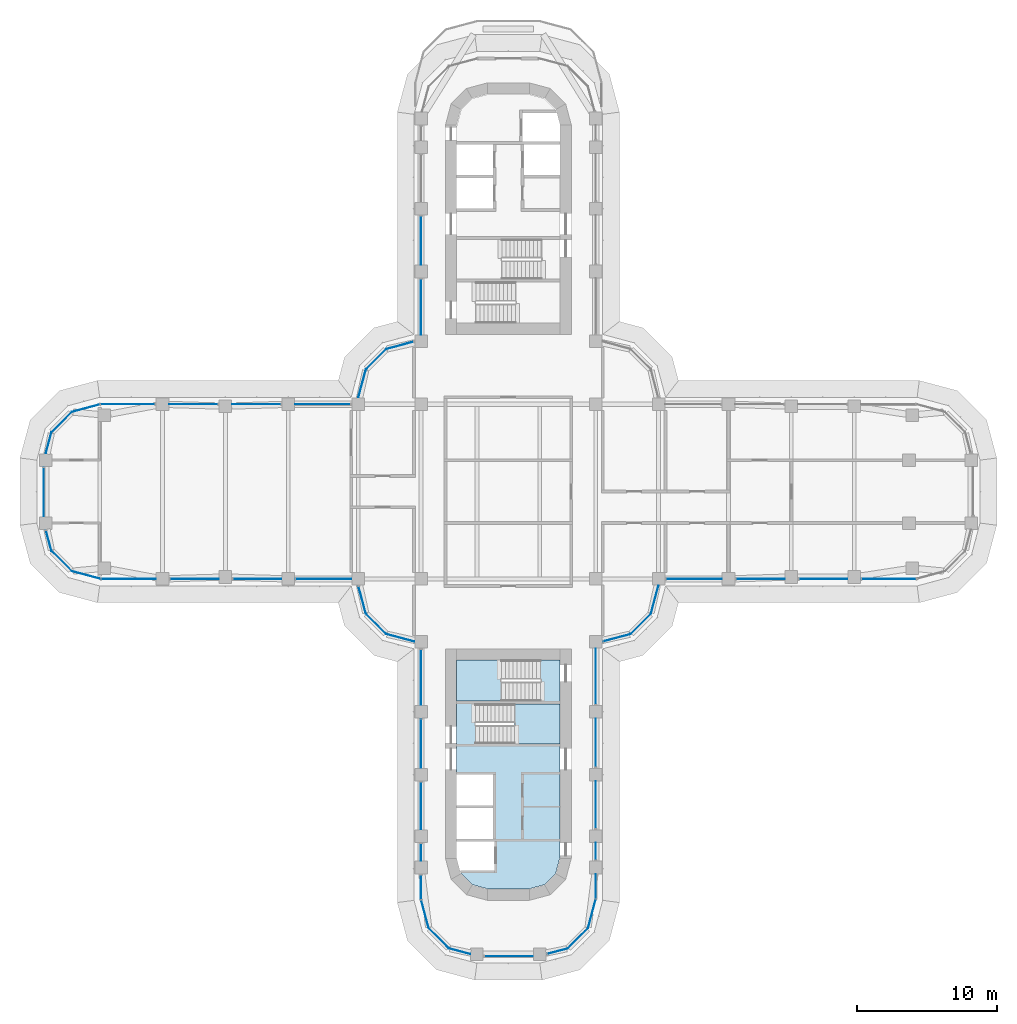
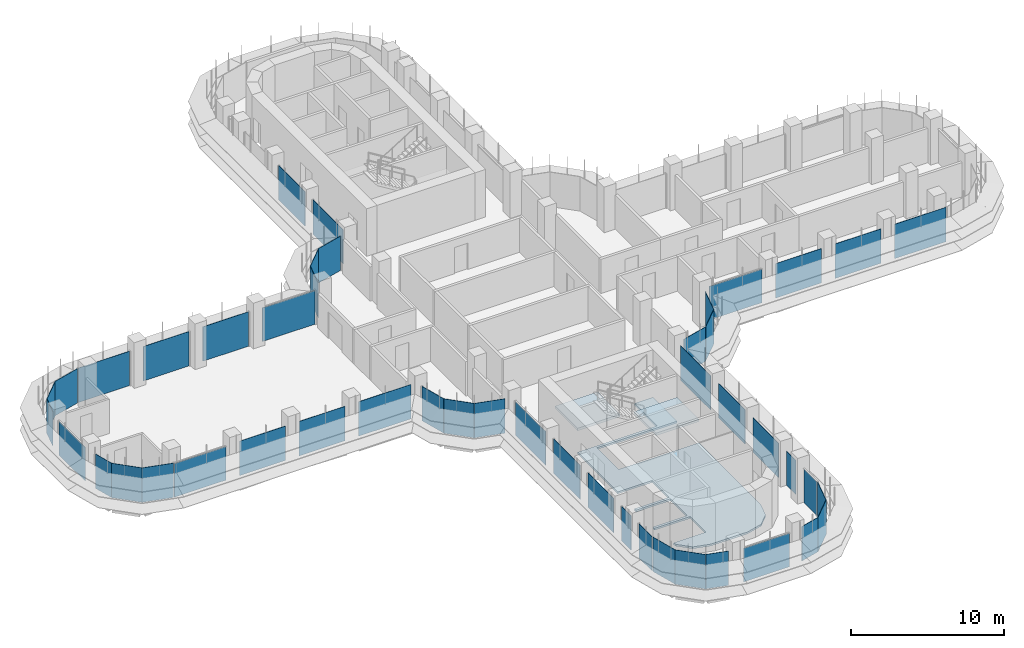
# One storey, part 12 of 22: 47 plates, 3 slabs, 31 elements without a shape of their own.
"""IFC4 building model written with IfcOpenShell, lengths in metres."""

from ifc_helpers import new_model, si_unit, direction, frame, origin, place, context, subcontext, project, spatial, polyline, outline, extrude, source, transform, mapped, material, layer, layer_set, type_object, element, aggregate, save


model = new_model("IFC4")

# Units and contexts
model_context = context("Model", 3, precision=1e-05, world=origin(), true_north=direction((0.0, 1.0)))
body_context = subcontext(model_context, "Body", "Model", "MODEL_VIEW")
ifc_project = project(units=[si_unit("LENGTHUNIT", "METRE"), si_unit("AREAUNIT", "SQUARE_METRE"), si_unit("VOLUMEUNIT", "CUBIC_METRE"), si_unit("PLANEANGLEUNIT", "RADIAN"), si_unit("MASSUNIT", "GRAM", prefix="KILO")], contexts=[model_context])

# Site, building, storey
site_placement = place(None, origin())
site = spatial("IfcSite", under=ifc_project, at=site_placement, CompositionType="ELEMENT")
building_placement = place(site_placement, origin())
building = spatial("IfcBuilding", under=site, at=building_placement, Name="Zarbagh Exchange Tower", CompositionType="ELEMENT")
storey_placement = place(building_placement, frame((0.0, 0.0, 94.199951171875)))
storey = spatial("IfcBuildingStorey", under=building, at=storey_placement, Name="L21", CompositionType="ELEMENT", Elevation=94.199951171875)

# Slab
ifc_material_1 = material(Name="Concrete C40/50", Category="concrete")
ifc_layer_1 = layer(ifc_material_1, 0.14990234375)
ifc_layer_set_1 = layer_set([ifc_layer_1], Name="Core floor slab 150 C40/50")
slab_type_1 = type_object("IfcSlabType", Name="Core floor slab 150 C40/50", PredefinedType="FLOOR", material=ifc_layer_set_1)
slab_1_placement = place(storey_placement, frame((0.0, 0.0, -0.14990234375)))
element("IfcSlab", 1, at=slab_1_placement, inside=storey, type_object=slab_type_1, Name="S17 core S", PredefinedType="FLOOR", context=body_context, shape_type="SweptSolid", body=[
    extrude(outline(polyline([(-2.5859375, -28.130859375), (-3.380859375, -27.3359375), (-3.646484375, -26.3447265625), (-3.444091796875, -27.10009765625), (-1.0, -27.10009765625), (-1.0, -25.050048828125), (-3.699951171875, -25.050048828125), (-3.699951171875, -24.85009765625), (-1.10009765625, -24.85009765625), (-1.10009765625, -22.64990234375), (-3.699951171875, -22.64990234375), (-3.699951171875, -22.449951171875), (-1.10009765625, -22.449951171875), (-1.10009765625, -20.25), (-3.699951171875, -20.25), (-3.699951171875, -15.0), (2.300048828125, -15.0), (2.300048828125, -12.050048828125), (3.699951171875, -12.050048828125), (3.699951171875, -15.199951171875), (-2.35009765625, -15.199951171875), (-2.35009765625, -18.050048828125), (3.699951171875, -18.050048828125), (3.699951171875, -26.144775390625), (3.380859375, -27.3359375), (2.5859375, -28.130859375), (1.394775390625, -28.449951171875), (-1.394775390625, -28.449951171875), (-2.5859375, -28.130859375)])), origin(), (0.0, 0.0, 1.0), 0.14990234375),
])

# Stair, slab
stair_type = type_object("IfcStairType", Name="Exit stair two-flight half-turn", PredefinedType="HALF_TURN_STAIR", material=ifc_material_1)
stair_1_placement = place(storey_placement, origin())
stair_1 = element("IfcStair", 2, at=stair_1_placement, inside=storey, type_object=stair_type, Name="exit stair ST3", PredefinedType="HALF_TURN_STAIR")
ifc_layer_2 = layer(ifc_material_1, 0.199951171875)
ifc_layer_set_2 = layer_set([ifc_layer_2], Name="Stair landing 200 mm")
slab_type_2 = type_object("IfcSlabType", Name="Stair landing 200 mm", PredefinedType="LANDING", material=ifc_layer_set_2)
slab_2_placement = place(storey_placement, frame((0.0, 0.0, 1.699951171875)))
slab_2 = element("IfcSlab", 3, at=slab_2_placement, type_object=slab_type_2, Name="ST3 landing 1", PredefinedType="LANDING", context=body_context, shape_type="SweptSolid", body=[
    extrude(outline(polyline([(0.449951171875, -18.050048828125), (3.699951171875, -18.050048828125), (3.699951171875, -15.199951171875), (0.449951171875, -15.199951171875), (0.449951171875, -18.050048828125)])), origin(), (0.0, 0.0, 1.0), 0.2001953125),
])
aggregate(stair_1, [slab_2])

stair_2_placement = place(storey_placement, origin())
stair_2 = element("IfcStair", 4, at=stair_2_placement, inside=storey, type_object=stair_type, Name="exit stair ST4", PredefinedType="HALF_TURN_STAIR")
slab_3_placement = place(storey_placement, frame((0.0, 0.0, 1.699951171875)))
slab_3 = element("IfcSlab", 5, at=slab_3_placement, type_object=slab_type_2, Name="ST4 landing 1", PredefinedType="LANDING", context=body_context, shape_type="SweptSolid", body=[
    extrude(outline(polyline([(-0.5, -12.050048828125), (-3.699951171875, -12.050048828125), (-3.699951171875, -15.0), (-0.5, -15.0), (-0.5, -12.050048828125)])), origin(), (0.0, 0.0, 1.0), 0.2001953125),
])
aggregate(stair_2, [slab_3])

# Curtain wall, plate
ifc_material_2 = material(Name="Anodised aluminium frame and glazing", Category="aluminium")
curtain_wall_type = type_object("IfcCurtainWallType", Name="CWA Ribbon glazing, lower zones", PredefinedType="NOTDEFINED", material=ifc_material_2)
curtain_wall_1_placement = place(storey_placement, origin())
curtain_wall_1 = element("IfcCurtainWall", 6, at=curtain_wall_1_placement, inside=storey, type_object=curtain_wall_type, Name="CWA01 curtain wall", PredefinedType="NOTDEFINED")
ifc_material_3 = material(Name="Low-e double glazed unit, 6+12+6 mm")
ifc_layer_3 = layer(ifc_material_3, 0.028076171875)
ifc_layer_set_3 = layer_set([ifc_layer_3], Name="PAA Glazing panel, Low-e double glazed unit, 6+12+6 mm")
plate_type = type_object("IfcPlateType", Name="PAA Glazing panel, Low-e double glazed unit, 6+12+6 mm", PredefinedType="CURTAIN_PANEL", material=ifc_layer_set_3)
shared_shape_1 = source(origin(), body_context, "Body", "SweptSolid", [
    extrude(outline(polyline([(0.0, -0.013916015625), (1.494140625, -0.013916015625), (1.494140625, 0.013916015625), (0.0, 0.013916015625), (0.0, -0.013916015625)])), origin(), (0.0, 0.0, 1.0), 2.75),
])
placement = place(storey_placement, origin())
plate_1 = element("IfcPlate", 7, at=placement, type_object=plate_type, Name="CWA01 glazing panel 1.1", PredefinedType="CURTAIN_PANEL", context=body_context, shape_type="MappedRepresentation", body=[
    mapped(shared_shape_1, transform((2.7978515625, -33.08544921875, 0.0), x_axis=(0.965924289636, 0.258824779902, 0.0), y_axis=(-0.258824779902, 0.965924289636, 0.0), z_axis=(0.0, 0.0, 1.0))),
])
aggregate(curtain_wall_1, [plate_1])

curtain_wall_2_placement = place(storey_placement, origin())
curtain_wall_2 = element("IfcCurtainWall", 8, at=curtain_wall_2_placement, inside=storey, type_object=curtain_wall_type, Name="CWA37 curtain wall", PredefinedType="NOTDEFINED")
plate_2 = element("IfcPlate", 9, at=placement, type_object=plate_type, Name="CWA37 glazing panel 1.1", PredefinedType="CURTAIN_PANEL", context=body_context, shape_type="MappedRepresentation", body=[
    mapped(shared_shape_1, transform((-33.08544921875, -2.7978515625, 0.0), x_axis=(0.258824779902, -0.965924289636, 0.0), y_axis=(0.965924289636, 0.258824779902, 0.0), z_axis=(0.0, 0.0, 1.0))),
])
aggregate(curtain_wall_2, [plate_2])

curtain_wall_3_placement = place(storey_placement, origin())
curtain_wall_3 = element("IfcCurtainWall", 10, at=curtain_wall_3_placement, inside=storey, type_object=curtain_wall_type, Name="CWA02 curtain wall", PredefinedType="NOTDEFINED")
shared_shape_2 = source(origin(), body_context, "Body", "SweptSolid", [
    extrude(outline(polyline([(0.0, -0.013916015625), (2.061279296875, -0.013916015625), (2.061279296875, 0.013916015625), (0.0, 0.013916015625), (0.0, -0.013916015625)])), origin(), (0.0, 0.0, 1.0), 2.75),
])
plate_3 = element("IfcPlate", 11, at=placement, type_object=plate_type, Name="CWA02 glazing panel 1.1", PredefinedType="CURTAIN_PANEL", context=body_context, shape_type="MappedRepresentation", body=[
    mapped(shared_shape_2, transform((4.2412109375, -32.69873046875, 0.0), x_axis=(0.707106781187, 0.707106781187, 0.0), y_axis=(-0.707106781187, 0.707106781187, 0.0), z_axis=(0.0, 0.0, 1.0))),
])
aggregate(curtain_wall_3, [plate_3])

curtain_wall_4_placement = place(storey_placement, origin())
curtain_wall_4 = element("IfcCurtainWall", 12, at=curtain_wall_4_placement, inside=storey, type_object=curtain_wall_type, Name="CWA06 curtain wall", PredefinedType="NOTDEFINED")
plate_4 = element("IfcPlate", 13, at=placement, type_object=plate_type, Name="CWA06 glazing panel 1.1", PredefinedType="CURTAIN_PANEL", context=body_context, shape_type="MappedRepresentation", body=[
    mapped(shared_shape_2, transform((8.7412109375, -10.19873046875, 0.0), x_axis=(0.707106781187, 0.707106781187, 0.0), y_axis=(-0.707106781187, 0.707106781187, 0.0), z_axis=(0.0, 0.0, 1.0))),
])
aggregate(curtain_wall_4, [plate_4])

curtain_wall_5_placement = place(storey_placement, origin())
curtain_wall_5 = element("IfcCurtainWall", 14, at=curtain_wall_5_placement, inside=storey, type_object=curtain_wall_type, Name="CWA30 curtain wall", PredefinedType="NOTDEFINED")
plate_5 = element("IfcPlate", 15, at=placement, type_object=plate_type, Name="CWA30 glazing panel 1.1", PredefinedType="CURTAIN_PANEL", context=body_context, shape_type="MappedRepresentation", body=[
    mapped(shared_shape_2, transform((-8.7412109375, 10.19873046875, 0.0), x_axis=(-0.707106781187, -0.707106781187, 0.0), y_axis=(0.707106781187, -0.707106781187, 0.0), z_axis=(0.0, 0.0, 1.0))),
])
aggregate(curtain_wall_5, [plate_5])

curtain_wall_6_placement = place(storey_placement, origin())
curtain_wall_6 = element("IfcCurtainWall", 16, at=curtain_wall_6_placement, inside=storey, type_object=curtain_wall_type, Name="CWA34 curtain wall", PredefinedType="NOTDEFINED")
plate_6 = element("IfcPlate", 17, at=placement, type_object=plate_type, Name="CWA34 glazing panel 1.1", PredefinedType="CURTAIN_PANEL", context=body_context, shape_type="MappedRepresentation", body=[
    mapped(shared_shape_2, transform((-31.2412109375, 5.69873046875, 0.0), x_axis=(-0.707106781187, -0.707106781187, 0.0), y_axis=(0.707106781187, -0.707106781187, 0.0), z_axis=(0.0, 0.0, 1.0))),
])
aggregate(curtain_wall_6, [plate_6])

curtain_wall_7_placement = place(storey_placement, origin())
curtain_wall_7 = element("IfcCurtainWall", 18, at=curtain_wall_7_placement, inside=storey, type_object=curtain_wall_type, Name="CWA38 curtain wall", PredefinedType="NOTDEFINED")
plate_7 = element("IfcPlate", 19, at=placement, type_object=plate_type, Name="CWA38 glazing panel 1.1", PredefinedType="CURTAIN_PANEL", context=body_context, shape_type="MappedRepresentation", body=[
    mapped(shared_shape_2, transform((-32.69873046875, -4.2412109375, 0.0), x_axis=(0.707106781187, -0.707106781187, 0.0), y_axis=(0.707106781187, 0.707106781187, 0.0), z_axis=(0.0, 0.0, 1.0))),
])
aggregate(curtain_wall_7, [plate_7])

curtain_wall_8_placement = place(storey_placement, origin())
curtain_wall_8 = element("IfcCurtainWall", 20, at=curtain_wall_8_placement, inside=storey, type_object=curtain_wall_type, Name="CWA42 curtain wall", PredefinedType="NOTDEFINED")
plate_8 = element("IfcPlate", 21, at=placement, type_object=plate_type, Name="CWA42 glazing panel 1.1", PredefinedType="CURTAIN_PANEL", context=body_context, shape_type="MappedRepresentation", body=[
    mapped(shared_shape_2, transform((-10.19873046875, -8.7412109375, 0.0), x_axis=(0.707106781187, -0.707106781187, 0.0), y_axis=(0.707106781187, 0.707106781187, 0.0), z_axis=(0.0, 0.0, 1.0))),
])
aggregate(curtain_wall_8, [plate_8])

curtain_wall_9_placement = place(storey_placement, origin())
curtain_wall_9 = element("IfcCurtainWall", 22, at=curtain_wall_9_placement, inside=storey, type_object=curtain_wall_type, Name="CWA46 curtain wall", PredefinedType="NOTDEFINED")
plate_9 = element("IfcPlate", 23, at=placement, type_object=plate_type, Name="CWA46 glazing panel 1.1", PredefinedType="CURTAIN_PANEL", context=body_context, shape_type="MappedRepresentation", body=[
    mapped(shared_shape_2, transform((-5.69873046875, -31.2412109375, 0.0), x_axis=(0.707106781187, -0.707106781187, 0.0), y_axis=(0.707106781187, 0.707106781187, 0.0), z_axis=(0.0, 0.0, 1.0))),
])
aggregate(curtain_wall_9, [plate_9])

curtain_wall_10_placement = place(storey_placement, origin())
curtain_wall_10 = element("IfcCurtainWall", 24, at=curtain_wall_10_placement, inside=storey, type_object=curtain_wall_type, Name="CWA03 curtain wall", PredefinedType="NOTDEFINED")
shared_shape_3 = source(origin(), body_context, "Body", "SweptSolid", [
    extrude(outline(polyline([(0.0, -0.013916015625), (2.129638671875, -0.013916015625), (2.129638671875, 0.013916015625), (0.0, 0.013916015625), (0.0, -0.013916015625)])), origin(), (0.0, 0.0, 1.0), 2.75),
])
plate_10 = element("IfcPlate", 25, at=placement, type_object=plate_type, Name="CWA03 glazing panel 1.1", PredefinedType="CURTAIN_PANEL", context=body_context, shape_type="MappedRepresentation", body=[
    mapped(shared_shape_3, transform((5.69873046875, -31.2412109375, 0.0), x_axis=(0.258824779902, 0.965924289636, 0.0), y_axis=(-0.965924289636, 0.258824779902, 0.0), z_axis=(0.0, 0.0, 1.0))),
])
aggregate(curtain_wall_10, [plate_10])

curtain_wall_11_placement = place(storey_placement, origin())
curtain_wall_11 = element("IfcCurtainWall", 26, at=curtain_wall_11_placement, inside=storey, type_object=curtain_wall_type, Name="CWA39 curtain wall", PredefinedType="NOTDEFINED")
plate_11 = element("IfcPlate", 27, at=placement, type_object=plate_type, Name="CWA39 glazing panel 1.1", PredefinedType="CURTAIN_PANEL", context=body_context, shape_type="MappedRepresentation", body=[
    mapped(shared_shape_3, transform((-31.2412109375, -5.69873046875, 0.0), x_axis=(0.965924289636, -0.258824779902, 0.0), y_axis=(0.258824779902, 0.965924289636, 0.0), z_axis=(0.0, 0.0, 1.0))),
])
aggregate(curtain_wall_11, [plate_11])

# Curtain wall, plates
curtain_wall_12_placement = place(storey_placement, origin())
curtain_wall_12 = element("IfcCurtainWall", 28, at=curtain_wall_12_placement, inside=storey, type_object=curtain_wall_type, Name="CWA04 curtain wall", PredefinedType="NOTDEFINED")
shared_shape_4 = source(origin(), body_context, "Body", "SweptSolid", [
    extrude(outline(polyline([(0.0, -0.013916015625), (1.734130859375, -0.013916015625), (1.734130859375, 0.013916015625), (0.0, 0.013916015625), (0.0, -0.013916015625)])), origin(), (0.0, 0.0, 1.0), 2.68994140625),
])
plate_12 = element("IfcPlate", 29, at=placement, type_object=plate_type, Name="CWA04 glazing panel 1.1", PredefinedType="CURTAIN_PANEL", context=body_context, shape_type="MappedRepresentation", body=[
    mapped(shared_shape_4, transform((6.25, -29.124267578125, 0.0), x_axis=(0.0, 1.0, 0.0), y_axis=(-1.0, 0.0, 0.0), z_axis=(0.0, 0.0, 1.0))),
])
shared_shape_5 = source(origin(), body_context, "Body", "SweptSolid", [
    extrude(outline(polyline([(0.0, -0.013916015625), (1.2099609375, -0.013916015625), (1.2099609375, 0.013916015625), (0.0, 0.013916015625), (0.0, -0.013916015625)])), origin(), (0.0, 0.0, 1.0), 2.75),
])
plate_13 = element("IfcPlate", 30, at=placement, type_object=plate_type, Name="CWA04 glazing panel 2.1", PredefinedType="CURTAIN_PANEL", context=body_context, shape_type="MappedRepresentation", body=[
    mapped(shared_shape_5, transform((6.25, -26.349853515625, 0.0), x_axis=(0.0, 1.0, 0.0), y_axis=(-1.0, 0.0, 0.0), z_axis=(0.0, 0.0, 1.0))),
])

# Curtain wall, plate
curtain_wall_13_placement = place(storey_placement, origin())
curtain_wall_13 = element("IfcCurtainWall", 31, at=curtain_wall_13_placement, inside=storey, type_object=curtain_wall_type, Name="CWA44 curtain wall", PredefinedType="NOTDEFINED")
plate_14 = element("IfcPlate", 32, at=placement, type_object=plate_type, Name="CWA44 glazing panel 4.1", PredefinedType="CURTAIN_PANEL", context=body_context, shape_type="MappedRepresentation", body=[
    mapped(shared_shape_5, transform((-6.25, -25.199951171875, 0.0), x_axis=(0.0, -1.0, 0.0), y_axis=(1.0, 0.0, 0.0), z_axis=(0.0, 0.0, 1.0))),
])

# Plate
shared_shape_6 = source(origin(), body_context, "Body", "SweptSolid", [
    extrude(outline(polyline([(0.0, -0.013916015625), (3.360107421875, -0.013916015625), (3.360107421875, 0.013916015625), (0.0, 0.013916015625), (0.0, -0.013916015625)])), origin(), (0.0, 0.0, 1.0), 2.75),
])
plate_15 = element("IfcPlate", 33, at=placement, type_object=plate_type, Name="CWA04 glazing panel 3.1", PredefinedType="CURTAIN_PANEL", context=body_context, shape_type="MappedRepresentation", body=[
    mapped(shared_shape_6, transform((6.25, -24.099853515625, 0.0), x_axis=(0.0, 1.0, 0.0), y_axis=(-1.0, 0.0, 0.0), z_axis=(0.0, 0.0, 1.0))),
])

plate_16 = element("IfcPlate", 34, at=placement, type_object=plate_type, Name="CWA44 glazing panel 3.1", PredefinedType="CURTAIN_PANEL", context=body_context, shape_type="MappedRepresentation", body=[
    mapped(shared_shape_6, transform((-6.25, -20.800048828125, 0.0), x_axis=(0.0, -1.0, 0.0), y_axis=(1.0, 0.0, 0.0), z_axis=(0.0, 0.0, 1.0))),
])

shared_shape_7 = source(origin(), body_context, "Body", "SweptSolid", [
    extrude(outline(polyline([(0.0, -0.013916015625), (3.4599609375, -0.013916015625), (3.4599609375, 0.013916015625), (0.0, 0.013916015625), (0.0, -0.013916015625)])), origin(), (0.0, 0.0, 1.0), 2.75),
])
plate_17 = element("IfcPlate", 35, at=placement, type_object=plate_type, Name="CWA04 glazing panel 4.1", PredefinedType="CURTAIN_PANEL", context=body_context, shape_type="MappedRepresentation", body=[
    mapped(shared_shape_7, transform((6.25, -19.699951171875, 0.0), x_axis=(0.0, 1.0, 0.0), y_axis=(-1.0, 0.0, 0.0), z_axis=(0.0, 0.0, 1.0))),
])

# Curtain wall, plates
curtain_wall_14_placement = place(storey_placement, origin())
curtain_wall_14 = element("IfcCurtainWall", 36, at=curtain_wall_14_placement, inside=storey, type_object=curtain_wall_type, Name="CWA08 curtain wall", PredefinedType="NOTDEFINED")
plate_18 = element("IfcPlate", 37, at=placement, type_object=plate_type, Name="CWA08 glazing panel 2.1", PredefinedType="CURTAIN_PANEL", context=body_context, shape_type="MappedRepresentation", body=[
    mapped(shared_shape_7, transform((16.300048828125, -6.25, 0.0), x_axis=(1.0, 0.0, 0.0), y_axis=(0.0, 1.0, 0.0), z_axis=(0.0, 0.0, 1.0))),
])
plate_19 = element("IfcPlate", 38, at=placement, type_object=plate_type, Name="CWA08 glazing panel 3.1", PredefinedType="CURTAIN_PANEL", context=body_context, shape_type="MappedRepresentation", body=[
    mapped(shared_shape_7, transform((20.800048828125, -6.25, 0.0), x_axis=(1.0, 0.0, 0.0), y_axis=(0.0, 1.0, 0.0), z_axis=(0.0, 0.0, 1.0))),
])

# Curtain wall, plate
curtain_wall_15_placement = place(storey_placement, origin())
curtain_wall_15 = element("IfcCurtainWall", 39, at=curtain_wall_15_placement, inside=storey, type_object=curtain_wall_type, Name="CWA56 curtain wall", PredefinedType="NOTDEFINED")
plate_20 = element("IfcPlate", 40, at=placement, type_object=plate_type, Name="CWA56 glazing panel 3.1", PredefinedType="CURTAIN_PANEL", context=body_context, shape_type="MappedRepresentation", body=[
    mapped(shared_shape_7, transform((-6.25, 19.699951171875, 0.0), x_axis=(0.0, -1.0, 0.0), y_axis=(1.0, 0.0, 0.0), z_axis=(0.0, 0.0, 1.0))),
])

# Curtain wall, plates
curtain_wall_16_placement = place(storey_placement, origin())
curtain_wall_16 = element("IfcCurtainWall", 41, at=curtain_wall_16_placement, inside=storey, type_object=curtain_wall_type, Name="CWA32 curtain wall", PredefinedType="NOTDEFINED")
plate_21 = element("IfcPlate", 42, at=placement, type_object=plate_type, Name="CWA32 glazing panel 2.1", PredefinedType="CURTAIN_PANEL", context=body_context, shape_type="MappedRepresentation", body=[
    mapped(shared_shape_7, transform((-16.300048828125, 6.25, 0.0), x_axis=(-1.0, 0.0, 0.0), y_axis=(0.0, -1.0, 0.0), z_axis=(0.0, 0.0, 1.0))),
])
plate_22 = element("IfcPlate", 43, at=placement, type_object=plate_type, Name="CWA32 glazing panel 3.1", PredefinedType="CURTAIN_PANEL", context=body_context, shape_type="MappedRepresentation", body=[
    mapped(shared_shape_7, transform((-20.800048828125, 6.25, 0.0), x_axis=(-1.0, 0.0, 0.0), y_axis=(0.0, -1.0, 0.0), z_axis=(0.0, 0.0, 1.0))),
])

curtain_wall_17_placement = place(storey_placement, origin())
curtain_wall_17 = element("IfcCurtainWall", 44, at=curtain_wall_17_placement, inside=storey, type_object=curtain_wall_type, Name="CWA40 curtain wall", PredefinedType="NOTDEFINED")
plate_23 = element("IfcPlate", 45, at=placement, type_object=plate_type, Name="CWA40 glazing panel 2.1", PredefinedType="CURTAIN_PANEL", context=body_context, shape_type="MappedRepresentation", body=[
    mapped(shared_shape_7, transform((-24.199951171875, -6.25, 0.0), x_axis=(1.0, 0.0, 0.0), y_axis=(0.0, 1.0, 0.0), z_axis=(0.0, 0.0, 1.0))),
])
plate_24 = element("IfcPlate", 46, at=placement, type_object=plate_type, Name="CWA40 glazing panel 3.1", PredefinedType="CURTAIN_PANEL", context=body_context, shape_type="MappedRepresentation", body=[
    mapped(shared_shape_7, transform((-19.699951171875, -6.25, 0.0), x_axis=(1.0, 0.0, 0.0), y_axis=(0.0, 1.0, 0.0), z_axis=(0.0, 0.0, 1.0))),
])

# Plate
plate_25 = element("IfcPlate", 47, at=placement, type_object=plate_type, Name="CWA44 glazing panel 2.1", PredefinedType="CURTAIN_PANEL", context=body_context, shape_type="MappedRepresentation", body=[
    mapped(shared_shape_7, transform((-6.25, -16.300048828125, 0.0), x_axis=(0.0, -1.0, 0.0), y_axis=(1.0, 0.0, 0.0), z_axis=(0.0, 0.0, 1.0))),
])

shared_shape_8 = source(origin(), body_context, "Body", "SweptSolid", [
    extrude(outline(polyline([(0.0, -0.013916015625), (3.9599609375, -0.013916015625), (3.9599609375, 0.013916015625), (0.0, 0.013916015625), (0.0, -0.013916015625)])), origin(), (0.0, 0.0, 1.0), 2.75),
])
plate_26 = element("IfcPlate", 48, at=placement, type_object=plate_type, Name="CWA04 glazing panel 5.1", PredefinedType="CURTAIN_PANEL", context=body_context, shape_type="MappedRepresentation", body=[
    mapped(shared_shape_8, transform((6.25, -15.199951171875, 0.0), x_axis=(0.0, 1.0, 0.0), y_axis=(-1.0, 0.0, 0.0), z_axis=(0.0, 0.0, 1.0))),
])

aggregate(curtain_wall_12, [plate_12, plate_13, plate_15, plate_17, plate_26])

plate_27 = element("IfcPlate", 49, at=placement, type_object=plate_type, Name="CWA56 glazing panel 4.1", PredefinedType="CURTAIN_PANEL", context=body_context, shape_type="MappedRepresentation", body=[
    mapped(shared_shape_8, transform((-6.25, 15.199951171875, 0.0), x_axis=(0.0, -1.0, 0.0), y_axis=(1.0, 0.0, 0.0), z_axis=(0.0, 0.0, 1.0))),
])

aggregate(curtain_wall_15, [plate_20, plate_27])

plate_28 = element("IfcPlate", 50, at=placement, type_object=plate_type, Name="CWA40 glazing panel 4.1", PredefinedType="CURTAIN_PANEL", context=body_context, shape_type="MappedRepresentation", body=[
    mapped(shared_shape_8, transform((-15.199951171875, -6.25, 0.0), x_axis=(1.0, 0.0, 0.0), y_axis=(0.0, 1.0, 0.0), z_axis=(0.0, 0.0, 1.0))),
])

# Curtain wall, plate
curtain_wall_18_placement = place(storey_placement, origin())
curtain_wall_18 = element("IfcCurtainWall", 51, at=curtain_wall_18_placement, inside=storey, type_object=curtain_wall_type, Name="CWA05 curtain wall", PredefinedType="NOTDEFINED")
shared_shape_9 = source(origin(), body_context, "Body", "SweptSolid", [
    extrude(outline(polyline([(0.0, -0.013916015625), (2.01171875, -0.013916015625), (2.01171875, 0.013916015625), (0.0, 0.013916015625), (0.0, -0.013916015625)])), origin(), (0.0, 0.0, 1.0), 2.75),
])
plate_29 = element("IfcPlate", 52, at=placement, type_object=plate_type, Name="CWA05 glazing panel 1.1", PredefinedType="CURTAIN_PANEL", context=body_context, shape_type="MappedRepresentation", body=[
    mapped(shared_shape_9, transform((6.7978515625, -10.719482421875, 0.0), x_axis=(0.965924289636, 0.258824779902, 0.0), y_axis=(-0.258824779902, 0.965924289636, 0.0), z_axis=(0.0, 0.0, 1.0))),
])
aggregate(curtain_wall_18, [plate_29])

curtain_wall_19_placement = place(storey_placement, origin())
curtain_wall_19 = element("IfcCurtainWall", 53, at=curtain_wall_19_placement, inside=storey, type_object=curtain_wall_type, Name="CWA29 curtain wall", PredefinedType="NOTDEFINED")
plate_30 = element("IfcPlate", 54, at=placement, type_object=plate_type, Name="CWA29 glazing panel 1.1", PredefinedType="CURTAIN_PANEL", context=body_context, shape_type="MappedRepresentation", body=[
    mapped(shared_shape_9, transform((-6.7978515625, 10.719482421875, 0.0), x_axis=(-0.965924289636, -0.258824779902, 0.0), y_axis=(0.258824779902, -0.965924289636, 0.0), z_axis=(0.0, 0.0, 1.0))),
])
aggregate(curtain_wall_19, [plate_30])

curtain_wall_20_placement = place(storey_placement, origin())
curtain_wall_20 = element("IfcCurtainWall", 55, at=curtain_wall_20_placement, inside=storey, type_object=curtain_wall_type, Name="CWA41 curtain wall", PredefinedType="NOTDEFINED")
plate_31 = element("IfcPlate", 56, at=placement, type_object=plate_type, Name="CWA41 glazing panel 1.1", PredefinedType="CURTAIN_PANEL", context=body_context, shape_type="MappedRepresentation", body=[
    mapped(shared_shape_9, transform((-10.719482421875, -6.7978515625, 0.0), x_axis=(0.258824779902, -0.965924289636, 0.0), y_axis=(0.965924289636, 0.258824779902, 0.0), z_axis=(0.0, 0.0, 1.0))),
])
aggregate(curtain_wall_20, [plate_31])

curtain_wall_21_placement = place(storey_placement, origin())
curtain_wall_21 = element("IfcCurtainWall", 57, at=curtain_wall_21_placement, inside=storey, type_object=curtain_wall_type, Name="CWA07 curtain wall", PredefinedType="NOTDEFINED")
shared_shape_10 = source(origin(), body_context, "Body", "SweptSolid", [
    extrude(outline(polyline([(0.0, -0.013916015625), (2.07177734375, -0.013916015625), (2.07177734375, 0.013916015625), (0.0, 0.013916015625), (0.0, -0.013916015625)])), origin(), (0.0, 0.0, 1.0), 2.75),
])
plate_32 = element("IfcPlate", 58, at=placement, type_object=plate_type, Name="CWA07 glazing panel 1.1", PredefinedType="CURTAIN_PANEL", context=body_context, shape_type="MappedRepresentation", body=[
    mapped(shared_shape_10, transform((10.19873046875, -8.7412109375, 0.0), x_axis=(0.258824779902, 0.965924289636, 0.0), y_axis=(-0.965924289636, 0.258824779902, 0.0), z_axis=(0.0, 0.0, 1.0))),
])
aggregate(curtain_wall_21, [plate_32])

curtain_wall_22_placement = place(storey_placement, origin())
curtain_wall_22 = element("IfcCurtainWall", 59, at=curtain_wall_22_placement, inside=storey, type_object=curtain_wall_type, Name="CWA31 curtain wall", PredefinedType="NOTDEFINED")
plate_33 = element("IfcPlate", 60, at=placement, type_object=plate_type, Name="CWA31 glazing panel 1.1", PredefinedType="CURTAIN_PANEL", context=body_context, shape_type="MappedRepresentation", body=[
    mapped(shared_shape_10, transform((-10.19873046875, 8.7412109375, 0.0), x_axis=(-0.258824779902, -0.965924289636, 0.0), y_axis=(0.965924289636, -0.258824779902, 0.0), z_axis=(0.0, 0.0, 1.0))),
])
aggregate(curtain_wall_22, [plate_33])

curtain_wall_23_placement = place(storey_placement, origin())
curtain_wall_23 = element("IfcCurtainWall", 61, at=curtain_wall_23_placement, inside=storey, type_object=curtain_wall_type, Name="CWA43 curtain wall", PredefinedType="NOTDEFINED")
plate_34 = element("IfcPlate", 62, at=placement, type_object=plate_type, Name="CWA43 glazing panel 1.1", PredefinedType="CURTAIN_PANEL", context=body_context, shape_type="MappedRepresentation", body=[
    mapped(shared_shape_10, transform((-8.7412109375, -10.19873046875, 0.0), x_axis=(0.965924289636, -0.258824779902, 0.0), y_axis=(0.258824779902, 0.965924289636, 0.0), z_axis=(0.0, 0.0, 1.0))),
])
aggregate(curtain_wall_23, [plate_34])

# Plate
shared_shape_11 = source(origin(), body_context, "Body", "SweptSolid", [
    extrude(outline(polyline([(0.0, -0.013916015625), (3.9599609375, -0.013916015625), (3.9599609375, 0.013916015625), (0.0, 0.013916015625), (0.0, -0.013916015625)])), origin(), (0.0, 0.0, 1.0), 2.68994140625),
])
plate_35 = element("IfcPlate", 63, at=placement, type_object=plate_type, Name="CWA08 glazing panel 1.1", PredefinedType="CURTAIN_PANEL", context=body_context, shape_type="MappedRepresentation", body=[
    mapped(shared_shape_11, transform((11.300048828125, -6.25, 0.0), x_axis=(1.0, 0.0, 0.0), y_axis=(0.0, 1.0, 0.0), z_axis=(0.0, 0.0, 1.0))),
])

plate_36 = element("IfcPlate", 64, at=placement, type_object=plate_type, Name="CWA32 glazing panel 1.1", PredefinedType="CURTAIN_PANEL", context=body_context, shape_type="MappedRepresentation", body=[
    mapped(shared_shape_11, transform((-11.300048828125, 6.25, 0.0), x_axis=(-1.0, 0.0, 0.0), y_axis=(0.0, -1.0, 0.0), z_axis=(0.0, 0.0, 1.0))),
])

plate_37 = element("IfcPlate", 65, at=placement, type_object=plate_type, Name="CWA44 glazing panel 1.1", PredefinedType="CURTAIN_PANEL", context=body_context, shape_type="MappedRepresentation", body=[
    mapped(shared_shape_11, transform((-6.25, -11.300048828125, 0.0), x_axis=(0.0, -1.0, 0.0), y_axis=(1.0, 0.0, 0.0), z_axis=(0.0, 0.0, 1.0))),
])

shared_shape_12 = source(origin(), body_context, "Body", "SweptSolid", [
    extrude(outline(polyline([(0.0, -0.013916015625), (3.884033203125, -0.013916015625), (3.884033203125, 0.013916015625), (0.0, 0.013916015625), (0.0, -0.013916015625)])), origin(), (0.0, 0.0, 1.0), 2.75),
])
plate_38 = element("IfcPlate", 66, at=placement, type_object=plate_type, Name="CWA08 glazing panel 4.1", PredefinedType="CURTAIN_PANEL", context=body_context, shape_type="MappedRepresentation", body=[
    mapped(shared_shape_12, transform((25.300048828125, -6.25, 0.0), x_axis=(1.0, 0.0, 0.0), y_axis=(0.0, 1.0, 0.0), z_axis=(0.0, 0.0, 1.0))),
])

aggregate(curtain_wall_14, [plate_35, plate_18, plate_19, plate_38])

plate_39 = element("IfcPlate", 67, at=placement, type_object=plate_type, Name="CWA32 glazing panel 4.1", PredefinedType="CURTAIN_PANEL", context=body_context, shape_type="MappedRepresentation", body=[
    mapped(shared_shape_12, transform((-25.300048828125, 6.25, 0.0), x_axis=(-1.0, 0.0, 0.0), y_axis=(0.0, -1.0, 0.0), z_axis=(0.0, 0.0, 1.0))),
])

aggregate(curtain_wall_16, [plate_36, plate_21, plate_22, plate_39])

# Curtain wall, plate
curtain_wall_24_placement = place(storey_placement, origin())
curtain_wall_24 = element("IfcCurtainWall", 68, at=curtain_wall_24_placement, inside=storey, type_object=curtain_wall_type, Name="CWA33 curtain wall", PredefinedType="NOTDEFINED")
shared_shape_13 = source(origin(), body_context, "Body", "SweptSolid", [
    extrude(outline(polyline([(0.0, -0.013916015625), (2.069580078125, -0.013916015625), (2.069580078125, 0.013916015625), (0.0, 0.013916015625), (0.0, -0.013916015625)])), origin(), (0.0, 0.0, 1.0), 2.75),
])
plate_40 = element("IfcPlate", 69, at=placement, type_object=plate_type, Name="CWA33 glazing panel 1.1", PredefinedType="CURTAIN_PANEL", context=body_context, shape_type="MappedRepresentation", body=[
    mapped(shared_shape_13, transform((-29.2421875, 6.234375, 0.0), x_axis=(-0.965924289636, -0.258824779902, 0.0), y_axis=(0.258824779902, -0.965924289636, 0.0), z_axis=(0.0, 0.0, 1.0))),
])
aggregate(curtain_wall_24, [plate_40])

curtain_wall_25_placement = place(storey_placement, origin())
curtain_wall_25 = element("IfcCurtainWall", 70, at=curtain_wall_25_placement, inside=storey, type_object=curtain_wall_type, Name="CWA45 curtain wall", PredefinedType="NOTDEFINED")
plate_41 = element("IfcPlate", 71, at=placement, type_object=plate_type, Name="CWA45 glazing panel 1.1", PredefinedType="CURTAIN_PANEL", context=body_context, shape_type="MappedRepresentation", body=[
    mapped(shared_shape_13, transform((-6.234375, -29.2421875, 0.0), x_axis=(0.258824779902, -0.965924289636, 0.0), y_axis=(0.965924289636, 0.258824779902, 0.0), z_axis=(0.0, 0.0, 1.0))),
])
aggregate(curtain_wall_25, [plate_41])

curtain_wall_26_placement = place(storey_placement, origin())
curtain_wall_26 = element("IfcCurtainWall", 72, at=curtain_wall_26_placement, inside=storey, type_object=curtain_wall_type, Name="CWA35 curtain wall", PredefinedType="NOTDEFINED")
shared_shape_14 = source(origin(), body_context, "Body", "SweptSolid", [
    extrude(outline(polyline([(0.0, -0.013916015625), (1.55419921875, -0.013916015625), (1.55419921875, 0.013916015625), (0.0, 0.013916015625), (0.0, -0.013916015625)])), origin(), (0.0, 0.0, 1.0), 2.75),
])
plate_42 = element("IfcPlate", 73, at=placement, type_object=plate_type, Name="CWA35 glazing panel 1.1", PredefinedType="CURTAIN_PANEL", context=body_context, shape_type="MappedRepresentation", body=[
    mapped(shared_shape_14, transform((-32.69873046875, 4.2412109375, 0.0), x_axis=(-0.258824779902, -0.965924289636, 0.0), y_axis=(0.965924289636, -0.258824779902, 0.0), z_axis=(0.0, 0.0, 1.0))),
])
aggregate(curtain_wall_26, [plate_42])

curtain_wall_27_placement = place(storey_placement, origin())
curtain_wall_27 = element("IfcCurtainWall", 74, at=curtain_wall_27_placement, inside=storey, type_object=curtain_wall_type, Name="CWA47 curtain wall", PredefinedType="NOTDEFINED")
plate_43 = element("IfcPlate", 75, at=placement, type_object=plate_type, Name="CWA47 glazing panel 1.1", PredefinedType="CURTAIN_PANEL", context=body_context, shape_type="MappedRepresentation", body=[
    mapped(shared_shape_14, transform((-4.2412109375, -32.69873046875, 0.0), x_axis=(0.965924289636, -0.258824779902, 0.0), y_axis=(0.258824779902, 0.965924289636, 0.0), z_axis=(0.0, 0.0, 1.0))),
])
aggregate(curtain_wall_27, [plate_43])

curtain_wall_28_placement = place(storey_placement, origin())
curtain_wall_28 = element("IfcCurtainWall", 76, at=curtain_wall_28_placement, inside=storey, type_object=curtain_wall_type, Name="CWA36 curtain wall", PredefinedType="NOTDEFINED")
shared_shape_15 = source(origin(), body_context, "Body", "SweptSolid", [
    extrude(outline(polyline([(0.0, -0.013916015625), (3.4599609375, -0.013916015625), (3.4599609375, 0.013916015625), (0.0, 0.013916015625), (0.0, -0.013916015625)])), origin(), (0.0, 0.0, 1.0), 2.68994140625),
])
plate_44 = element("IfcPlate", 77, at=placement, type_object=plate_type, Name="CWA36 glazing panel 1.1", PredefinedType="CURTAIN_PANEL", context=body_context, shape_type="MappedRepresentation", body=[
    mapped(shared_shape_15, transform((-33.25, 1.699951171875, 0.0), x_axis=(0.0, -1.0, 0.0), y_axis=(1.0, 0.0, 0.0), z_axis=(0.0, 0.0, 1.0))),
])
aggregate(curtain_wall_28, [plate_44])

curtain_wall_29_placement = place(storey_placement, origin())
curtain_wall_29 = element("IfcCurtainWall", 78, at=curtain_wall_29_placement, inside=storey, type_object=curtain_wall_type, Name="CWA48 curtain wall", PredefinedType="NOTDEFINED")
plate_45 = element("IfcPlate", 79, at=placement, type_object=plate_type, Name="CWA48 glazing panel 1.1", PredefinedType="CURTAIN_PANEL", context=body_context, shape_type="MappedRepresentation", body=[
    mapped(shared_shape_15, transform((-1.699951171875, -33.25, 0.0), x_axis=(1.0, 0.0, 0.0), y_axis=(0.0, 1.0, 0.0), z_axis=(0.0, 0.0, 1.0))),
])
aggregate(curtain_wall_29, [plate_45])

# Plate
shared_shape_16 = source(origin(), body_context, "Body", "SweptSolid", [
    extrude(outline(polyline([(0.0, -0.013916015625), (3.88427734375, -0.013916015625), (3.88427734375, 0.013916015625), (0.0, 0.013916015625), (0.0, -0.013916015625)])), origin(), (0.0, 0.0, 1.0), 2.68994140625),
])
plate_46 = element("IfcPlate", 80, at=placement, type_object=plate_type, Name="CWA40 glazing panel 1.1", PredefinedType="CURTAIN_PANEL", context=body_context, shape_type="MappedRepresentation", body=[
    mapped(shared_shape_16, transform((-29.124267578125, -6.25, 0.0), x_axis=(1.0, 0.0, 0.0), y_axis=(0.0, 1.0, 0.0), z_axis=(0.0, 0.0, 1.0))),
])

aggregate(curtain_wall_17, [plate_46, plate_23, plate_24, plate_28])

shared_shape_17 = source(origin(), body_context, "Body", "SweptSolid", [
    extrude(outline(polyline([(0.0, -0.013916015625), (1.734130859375, -0.013916015625), (1.734130859375, 0.013916015625), (0.0, 0.013916015625), (0.0, -0.013916015625)])), origin(), (0.0, 0.0, 1.0), 2.75),
])
plate_47 = element("IfcPlate", 81, at=placement, type_object=plate_type, Name="CWA44 glazing panel 5.1", PredefinedType="CURTAIN_PANEL", context=body_context, shape_type="MappedRepresentation", body=[
    mapped(shared_shape_17, transform((-6.25, -27.449951171875, 0.0), x_axis=(0.0, -1.0, 0.0), y_axis=(1.0, 0.0, 0.0), z_axis=(0.0, 0.0, 1.0))),
])

aggregate(curtain_wall_13, [plate_37, plate_25, plate_16, plate_14, plate_47])

save(model, "model.ifc")
